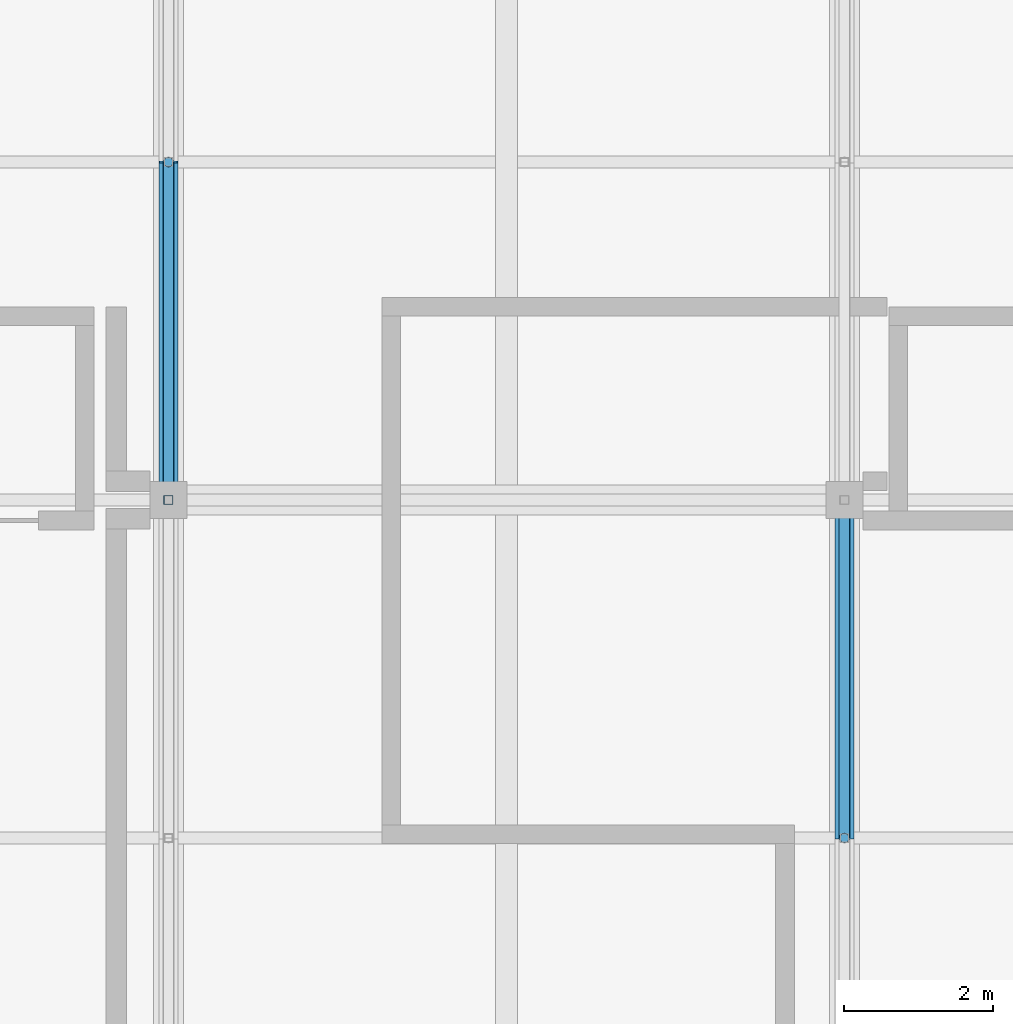
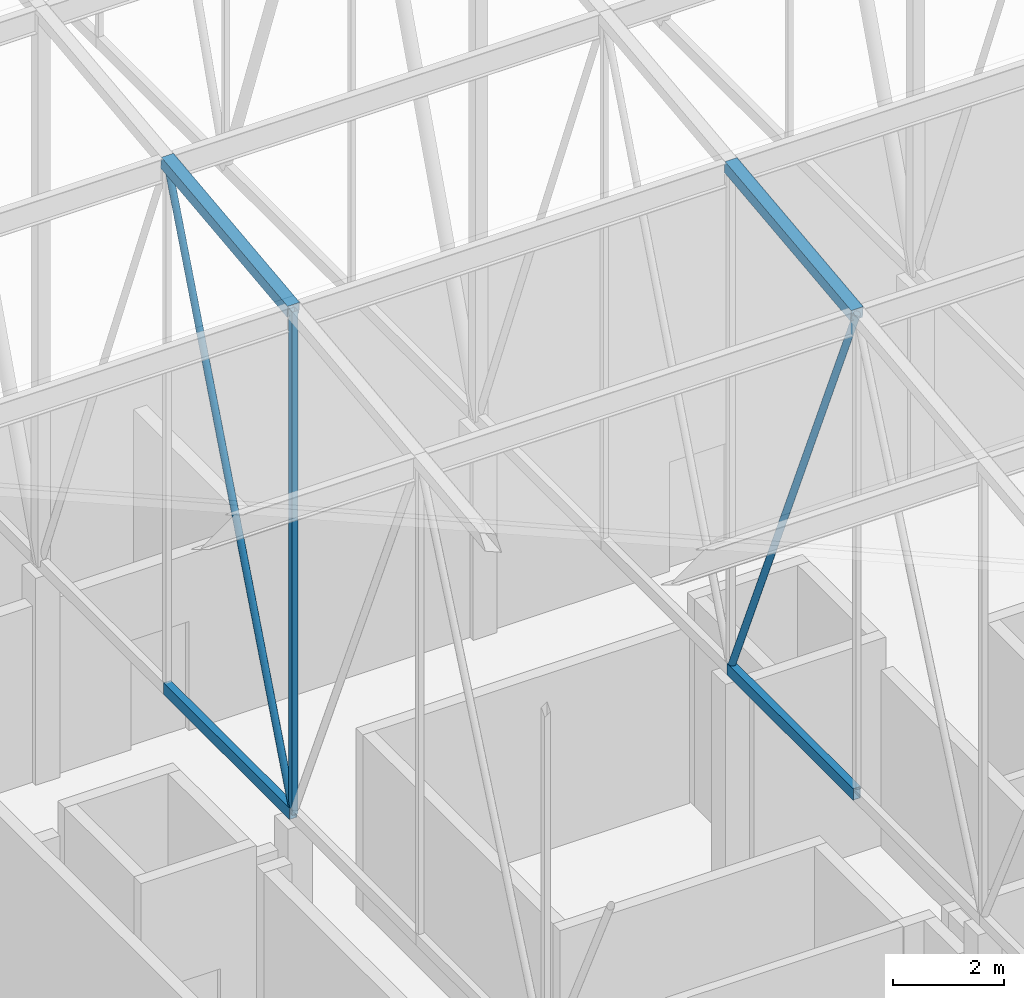
# One storey, part 150 of 500: 7 members.
"""IFC4 building model written with IfcOpenShell, lengths in metres."""

from ifc_helpers import new_model, si_unit, direction, frame, origin, origin_2d, place, context, subcontext, project, spatial, hollow_rectangle, hollow_circle, extrude, material, material_profile, profile_set, type_object, element, save


model = new_model("IFC4")

# Units and contexts
model_context = context("Model", 3, precision=1e-05, world=origin(), true_north=direction((0.0, 1.0)))
body_context = subcontext(model_context, "Body", "Model", "MODEL_VIEW")
ifc_project = project(units=[si_unit("LENGTHUNIT", "METRE"), si_unit("AREAUNIT", "SQUARE_METRE"), si_unit("VOLUMEUNIT", "CUBIC_METRE"), si_unit("PLANEANGLEUNIT", "RADIAN"), si_unit("MASSUNIT", "GRAM", prefix="KILO")], contexts=[model_context])

# Site, building, storey
site_placement = place(None, origin())
site = spatial("IfcSite", under=ifc_project, at=site_placement, CompositionType="ELEMENT")
building_placement = place(site_placement, origin())
building = spatial("IfcBuilding", under=site, at=building_placement, Name="Shirokan Park Arena", CompositionType="ELEMENT")
storey_placement = place(building_placement, frame((0.0, 0.0, 29.1201171875)))
storey = spatial("IfcBuildingStorey", under=building, at=storey_placement, Name="L06", CompositionType="ELEMENT", Elevation=29.1201171875)

# Members
ifc_material = material(Name="Steel ASTM A500 Grade C", Category="steel")
ifc_material_profile_1 = material_profile(ifc_material, hollow_rectangle(XDim=0.152099609375, YDim=0.25390625, WallThickness=0.009521484375, at=origin_2d()), Name="HSS254X152.4X9.5")
ifc_profile_set_1 = profile_set([ifc_material_profile_1], Name="Steel ASTM A500 Grade C")
member_type_1 = type_object("IfcMemberType", Name="Bottom chord HSS254X152.4X9.5", PredefinedType="CHORD", material=ifc_profile_set_1)
for number, where, z_axis, x_axis, name in (
    (1, (109.199951171875, 27.300048828125, 4.677001953125), (0.0, 1.0, 0.0), (-1.0, 0.0, 0.0), "Truss T13 bottom chord 9"),
    (2, (118.300048828125, 22.75, 4.677001953125), (0.0, 1.0, 0.0), (-1.0, 0.0, 0.0), "Truss T14 bottom chord 8"),
):
    element("IfcMember", number, at=place(storey_placement, frame(where, z_axis=z_axis, x_axis=x_axis)), inside=storey, type_object=member_type_1, Name=name, PredefinedType="CHORD", context=body_context, shape_type="SweptSolid", body=[
        extrude(hollow_rectangle(XDim=0.152099609375, YDim=0.25390625, WallThickness=0.009521484375, at=origin_2d()), origin(), (0.0, 0.0, 1.0), 4.550048828125),
    ])
ifc_material_profile_2 = material_profile(ifc_material, hollow_rectangle(XDim=0.25390625, YDim=0.25390625, WallThickness=0.009521484375, at=origin_2d()), Name="HSS254X254X9.5")
ifc_profile_set_2 = profile_set([ifc_material_profile_2], Name="Steel ASTM A500 Grade C")
member_type_2 = type_object("IfcMemberType", Name="Top chord HSS254X254X9.5", PredefinedType="CHORD", material=ifc_profile_set_2)
for number, where, z_axis, x_axis, name in (
    (3, (109.199951171875, 27.300048828125, 15.742919921875), (0.0, 0.993532328996, 0.113549598152), (-1.0, 0.0, 0.0), "Truss T13 top chord 9"),
    (4, (118.300048828125, 22.75, 15.222900390625), (0.0, 0.993532328996, 0.113549598152), (-1.0, 0.0, 0.0), "Truss T14 top chord 8"),
):
    element("IfcMember", number, at=place(storey_placement, frame(where, z_axis=z_axis, x_axis=x_axis)), inside=storey, type_object=member_type_2, Name=name, PredefinedType="CHORD", context=body_context, shape_type="SweptSolid", body=[
        extrude(hollow_rectangle(XDim=0.25390625, YDim=0.25390625, WallThickness=0.009521484375, at=origin_2d()), origin(), (0.0, 0.0, 1.0), 4.57958984375),
    ])
ifc_material_profile_3 = material_profile(ifc_material, hollow_circle(Radius=0.070556640625, WallThickness=0.006591796875, at=origin_2d()), Name="HSS141.3X6.6")
ifc_profile_set_3 = profile_set([ifc_material_profile_3], Name="Steel ASTM A500 Grade C")
member_type_3 = type_object("IfcMemberType", Name="Truss diagonal HSS141.3X6.6", PredefinedType="BRACE", material=ifc_profile_set_3)
member_1_placement = place(storey_placement, frame((109.199951171875, 27.300048828125, 4.677001953125), z_axis=(0.0, 0.365543139237, 0.930794399079), x_axis=(-1.0, 0.0, 0.0)))
element("IfcMember", 5, at=member_1_placement, inside=storey, type_object=member_type_3, Name="Truss T13 diagonal 9", PredefinedType="BRACE", context=body_context, shape_type="SweptSolid", body=[
    extrude(hollow_circle(Radius=0.070556640625, WallThickness=0.006591796875, at=origin_2d()), origin(), (0.0, 0.0, 1.0), 12.447265625),
])
member_2_placement = place(storey_placement, frame((118.300048828125, 22.75, 15.222900390625), z_axis=(0.0, 0.396152605513, -0.918184683572), x_axis=(-1.0, 0.0, 0.0)))
element("IfcMember", 6, at=member_2_placement, inside=storey, type_object=member_type_3, Name="Truss T14 diagonal 8", PredefinedType="BRACE", context=body_context, shape_type="SweptSolid", body=[
    extrude(hollow_circle(Radius=0.070556640625, WallThickness=0.006591796875, at=origin_2d()), origin(), (0.0, 0.0, 1.0), 11.485595703125),
])
ifc_material_profile_4 = material_profile(ifc_material, hollow_rectangle(XDim=0.126953125, YDim=0.126953125, WallThickness=0.008056640625, at=origin_2d()), Name="HSS127X127X7.9")
ifc_profile_set_4 = profile_set([ifc_material_profile_4], Name="Steel ASTM A500 Grade C")
member_type_4 = type_object("IfcMemberType", Name="Truss post HSS127X127X7.9", PredefinedType="POST", material=ifc_profile_set_4)
member_3_placement = place(storey_placement, frame((109.199951171875, 27.300048828125, 4.677001953125), z_axis=(0.0, 0.0, 1.0), x_axis=(1.0, 0.0, 0.0)))
element("IfcMember", 7, at=member_3_placement, inside=storey, type_object=member_type_4, Name="Truss T13 post 9", PredefinedType="POST", context=body_context, shape_type="SweptSolid", body=[
    extrude(hollow_rectangle(XDim=0.126953125, YDim=0.126953125, WallThickness=0.008056640625, at=origin_2d()), origin(), (0.0, 0.0, 1.0), 11.06591796875),
])

save(model, "model.ifc")
